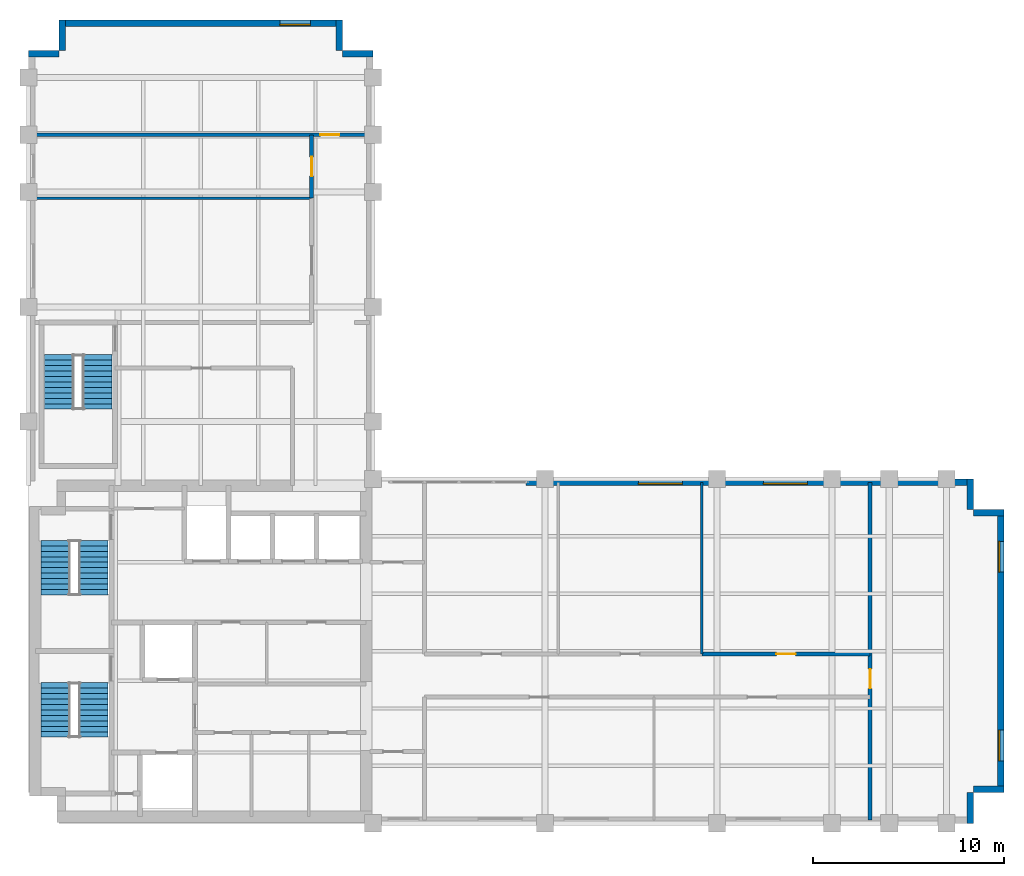
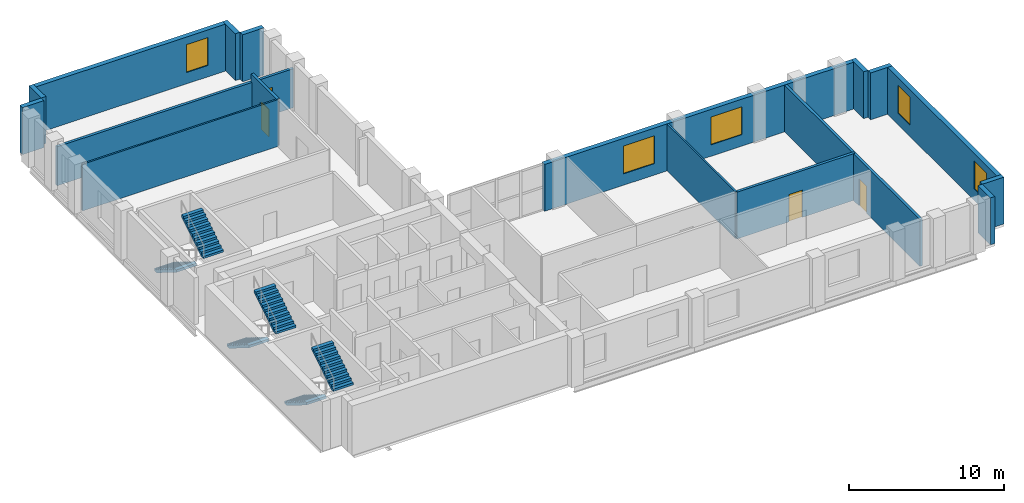
# One storey, part 6 of 7: 17 walls, 6 stair flights, 5 windows, 4 doors, 9 openings, 3 elements without a shape of their own.
"""IFC4 building model written with IfcOpenShell, lengths in metres."""

from ifc_helpers import new_model, si_unit, direction, frame, frame_2d, origin, place, context, subcontext, project, spatial, polyline, rectangle, outline, extrude, material, layer, layer_set, type_object, element, fill, aggregate, save


model = new_model("IFC4")

# Units and contexts
model_context = context("Model", 3, precision=1e-05, world=origin(), true_north=direction((0.0, 1.0)))
body_context = subcontext(model_context, "Body", "Model", "MODEL_VIEW")
ifc_project = project(units=[si_unit("LENGTHUNIT", "METRE"), si_unit("AREAUNIT", "SQUARE_METRE"), si_unit("VOLUMEUNIT", "CUBIC_METRE"), si_unit("PLANEANGLEUNIT", "RADIAN"), si_unit("MASSUNIT", "GRAM", prefix="KILO")], contexts=[model_context])

# Site, building, storey
site_placement = place(None, origin())
site = spatial("IfcSite", under=ifc_project, at=site_placement, CompositionType="ELEMENT")
building_placement = place(site_placement, origin())
building = spatial("IfcBuilding", under=site, at=building_placement, Name="Mawjdan Bourse Tower", CompositionType="ELEMENT")
storey_placement = place(building_placement, frame((0.0, 0.0, 172.199951171875)))
storey = spatial("IfcBuildingStorey", under=building, at=storey_placement, Name="L41", CompositionType="ELEMENT", Elevation=172.199951171875)

# Walls
ifc_material_1 = material(Name="Brick Masonry Buff", Category="masonry")
ifc_layer_1 = layer(ifc_material_1, 0.340087890625)
ifc_layer_set_1 = layer_set([ifc_layer_1], Name="Brick Masonry Buff")
wall_type_1 = type_object("IfcWallType", Name="WL-BRK-SPN-340", PredefinedType="STANDARD", material=ifc_layer_set_1)
for number, where, z_axis, x_axis, name in (
    (1, (55.22998046875, 3.0, 0.0), (0.0, 0.0, 1.0), (0.0, 1.0, 0.0), "L41 Exterior Brick Wall 2"),
    (2, (55.39990234375, 4.77001953125, 0.0), (0.0, 0.0, 1.0), (1.0, 0.0, 0.0), "L41 Exterior Brick Wall 3"),
):
    element("IfcWall", number, at=place(storey_placement, frame(where, z_axis=z_axis, x_axis=x_axis)), inside=storey, type_object=wall_type_1, Name=name, PredefinedType="STANDARD", context=body_context, shape_type="SweptSolid", body=[
        extrude(rectangle(XDim=1.60009765625, YDim=0.340087890625, at=frame_2d((0.800048828125, 0.0))), origin(), (0.0, 0.0, 1.0), 3.699951171875),
    ])

# Wall, openings, windows
wall_1_placement = place(storey_placement, frame((56.830078125, 4.60009765625, 0.0), z_axis=(0.0, 0.0, 1.0), x_axis=(0.0, 1.0, 0.0)))
wall_1 = element("IfcWall", 3, at=wall_1_placement, inside=storey, type_object=wall_type_1, Name="L41 Exterior Brick Wall 4", PredefinedType="STANDARD", context=body_context, shape_type="SweptSolid", body=[
    extrude(rectangle(XDim=14.7998046875, YDim=0.340087890625, at=frame_2d((7.39990234375, 0.0))), origin(), (0.0, 0.0, 1.0), 3.699951171875),
])
opening_1_placement = place(wall_1_placement, frame((1.666748046875, 0.0, 0.89990234375)))
opening_1 = element("IfcOpeningElement", 4, at=opening_1_placement, cuts=wall_1, Name="Opening W-L41-04", PredefinedType="OPENING", context=body_context, shape_type="SweptSolid", body=[
    extrude(rectangle(XDim=1.60009765625, YDim=2.199951171875, at=frame_2d((0.800048828125, 1.10009765625))), frame((0.0, 0.18017578125, 0.0), z_axis=(0.0, -1.0, 0.0), x_axis=(1.0, 0.0, 0.0)), (0.0, 0.0, 1.0), 0.360107421875),
])
opening_2_placement = place(wall_1_placement, frame((11.533203125, 0.0, 0.89990234375)))
opening_2 = element("IfcOpeningElement", 5, at=opening_2_placement, cuts=wall_1, Name="Opening W-L41-05", PredefinedType="OPENING", context=body_context, shape_type="SweptSolid", body=[
    extrude(rectangle(XDim=1.60009765625, YDim=2.199951171875, at=frame_2d((0.800048828125, 1.10009765625))), frame((0.0, 0.18017578125, 0.0), z_axis=(0.0, -1.0, 0.0), x_axis=(1.0, 0.0, 0.0)), (0.0, 0.0, 1.0), 0.360107421875),
])
ifc_material_2 = material(Name="Solar-Control Clear Double Glazing", Category="glass")
window_type_1 = type_object("IfcWindowType", Name="WN-Z3-1600", PartitioningType="SINGLE_PANEL", PredefinedType="WINDOW", material=ifc_material_2)
window_1_placement = place(opening_1_placement, origin())
window_1 = element("IfcWindow", 6, at=window_1_placement, inside=storey, type_object=window_type_1, Name="L41 Deep-Set Masonry Window W-L41-04", OverallHeight=2.199951171875, OverallWidth=1.60009765625, PartitioningType="SINGLE_PANEL", PredefinedType="WINDOW", context=body_context, shape_type="SweptSolid", body=[
    extrude(rectangle(XDim=1.60009765625, YDim=2.199951171875, at=frame_2d((0.800048828125, 1.10009765625))), frame((0.0, 0.110107421875, 0.0), z_axis=(0.0, -1.0, 0.0), x_axis=(1.0, 0.0, 0.0)), (0.0, 0.0, 1.0), 0.06005859375),
])
fill(opening_1, window_1)
window_2_placement = place(opening_2_placement, origin())
window_2 = element("IfcWindow", 7, at=window_2_placement, inside=storey, type_object=window_type_1, Name="L41 Deep-Set Masonry Window W-L41-05", OverallHeight=2.199951171875, OverallWidth=1.60009765625, PartitioningType="SINGLE_PANEL", PredefinedType="WINDOW", context=body_context, shape_type="SweptSolid", body=[
    extrude(rectangle(XDim=1.60009765625, YDim=2.199951171875, at=frame_2d((0.800048828125, 1.10009765625))), frame((0.0, 0.110107421875, 0.0), z_axis=(0.0, -1.0, 0.0), x_axis=(1.0, 0.0, 0.0)), (0.0, 0.0, 1.0), 0.06005859375),
])
fill(opening_2, window_2)

# Walls
for number, where, z_axis, x_axis, name in (
    (8, (57.0, 19.22998046875, 0.0), (0.0, 0.0, 1.0), (-1.0, 0.0, 0.0), "L41 Exterior Brick Wall 5"),
    (9, (55.22998046875, 19.39990234375, 0.0), (0.0, 0.0, 1.0), (0.0, 1.0, 0.0), "L41 Exterior Brick Wall 6"),
):
    element("IfcWall", number, at=place(storey_placement, frame(where, z_axis=z_axis, x_axis=x_axis)), inside=storey, type_object=wall_type_1, Name=name, PredefinedType="STANDARD", context=body_context, shape_type="SweptSolid", body=[
        extrude(rectangle(XDim=1.60009765625, YDim=0.340087890625, at=frame_2d((0.800048828125, 0.0))), origin(), (0.0, 0.0, 1.0), 3.699951171875),
    ])

# Wall, openings, windows
wall_2_placement = place(storey_placement, frame((55.39990234375, 20.830078125, 0.0), z_axis=(0.0, 0.0, 1.0), x_axis=(-1.0, 0.0, 0.0)))
wall_2 = element("IfcWall", 10, at=wall_2_placement, inside=storey, type_object=wall_type_1, Name="L41 Exterior Brick Wall 7A", PredefinedType="STANDARD", context=body_context, shape_type="SweptSolid", body=[
    extrude(rectangle(XDim=23.3798828125, YDim=0.340087890625, at=frame_2d((11.68994140625, 0.0))), origin(), (0.0, 0.0, 1.0), 3.699951171875),
])
opening_3_placement = place(wall_2_placement, frame((15.216064453125, 0.0, 0.89990234375)))
opening_3 = element("IfcOpeningElement", 11, at=opening_3_placement, cuts=wall_2, Name="Opening W-L41-06", PredefinedType="OPENING", context=body_context, shape_type="SweptSolid", body=[
    extrude(rectangle(XDim=2.300048828125, YDim=2.199951171875, at=frame_2d((1.14990234375, 1.10009765625))), frame((0.0, 0.18017578125, 0.0), z_axis=(0.0, -1.0, 0.0), x_axis=(1.0, 0.0, 0.0)), (0.0, 0.0, 1.0), 0.360107421875),
])
opening_4_placement = place(wall_2_placement, frame((8.6748046875, 0.0, 0.89990234375)))
opening_4 = element("IfcOpeningElement", 12, at=opening_4_placement, cuts=wall_2, Name="Opening W-L41-10", PredefinedType="OPENING", context=body_context, shape_type="SweptSolid", body=[
    extrude(rectangle(XDim=2.300048828125, YDim=2.199951171875, at=frame_2d((1.14990234375, 1.10009765625))), frame((0.0, 0.18017578125, 0.0), z_axis=(0.0, -1.0, 0.0), x_axis=(1.0, 0.0, 0.0)), (0.0, 0.0, 1.0), 0.360107421875),
])
window_type_2 = type_object("IfcWindowType", Name="WN-Z3-2300", PartitioningType="SINGLE_PANEL", PredefinedType="WINDOW", material=ifc_material_2)
window_3_placement = place(opening_3_placement, origin())
window_3 = element("IfcWindow", 13, at=window_3_placement, inside=storey, type_object=window_type_2, Name="L41 Deep-Set Masonry Window W-L41-06", OverallHeight=2.199951171875, OverallWidth=2.300048828125, PartitioningType="SINGLE_PANEL", PredefinedType="WINDOW", context=body_context, shape_type="SweptSolid", body=[
    extrude(rectangle(XDim=2.300048828125, YDim=2.199951171875, at=frame_2d((1.14990234375, 1.10009765625))), frame((0.0, 0.110107421875, 0.0), z_axis=(0.0, -1.0, 0.0), x_axis=(1.0, 0.0, 0.0)), (0.0, 0.0, 1.0), 0.06005859375),
])
fill(opening_3, window_3)
window_4_placement = place(opening_4_placement, origin())
window_4 = element("IfcWindow", 14, at=window_4_placement, inside=storey, type_object=window_type_2, Name="L41 Deep-Set Masonry Window W-L41-10", OverallHeight=2.199951171875, OverallWidth=2.300048828125, PartitioningType="SINGLE_PANEL", PredefinedType="WINDOW", context=body_context, shape_type="SweptSolid", body=[
    extrude(rectangle(XDim=2.300048828125, YDim=2.199951171875, at=frame_2d((1.14990234375, 1.10009765625))), frame((0.0, 0.110107421875, 0.0), z_axis=(0.0, -1.0, 0.0), x_axis=(1.0, 0.0, 0.0)), (0.0, 0.0, 1.0), 0.06005859375),
])
fill(opening_4, window_4)

# Walls
for number, where, z_axis, x_axis, name in (
    (15, (24.0, 43.22998046875, 0.0), (0.0, 0.0, 1.0), (-1.0, 0.0, 0.0), "L41 Exterior Brick Wall 9"),
    (16, (22.22998046875, 43.39990234375, 0.0), (0.0, 0.0, 1.0), (0.0, 1.0, 0.0), "L41 Exterior Brick Wall 10"),
):
    element("IfcWall", number, at=place(storey_placement, frame(where, z_axis=z_axis, x_axis=x_axis)), inside=storey, type_object=wall_type_1, Name=name, PredefinedType="STANDARD", context=body_context, shape_type="SweptSolid", body=[
        extrude(rectangle(XDim=1.60009765625, YDim=0.340087890625, at=frame_2d((0.800048828125, 0.0))), origin(), (0.0, 0.0, 1.0), 3.699951171875),
    ])

# Wall, opening, window
wall_3_placement = place(storey_placement, frame((22.39990234375, 44.830078125, 0.0), z_axis=(0.0, 0.0, 1.0), x_axis=(-1.0, 0.0, 0.0)))
wall_3 = element("IfcWall", 17, at=wall_3_placement, inside=storey, type_object=wall_type_1, Name="L41 Exterior Brick Wall 11", PredefinedType="STANDARD", context=body_context, shape_type="SweptSolid", body=[
    extrude(rectangle(XDim=14.7998046875, YDim=0.340087890625, at=frame_2d((7.39990234375, 0.0))), origin(), (0.0, 0.0, 1.0), 3.699951171875),
])
opening_5_placement = place(wall_3_placement, frame((1.666748046875, 0.0, 0.89990234375)))
opening_5 = element("IfcOpeningElement", 18, at=opening_5_placement, cuts=wall_3, Name="Opening W-L41-07", PredefinedType="OPENING", context=body_context, shape_type="SweptSolid", body=[
    extrude(rectangle(XDim=1.60009765625, YDim=2.199951171875, at=frame_2d((0.800048828125, 1.10009765625))), frame((0.0, 0.18017578125, 0.0), z_axis=(0.0, -1.0, 0.0), x_axis=(1.0, 0.0, 0.0)), (0.0, 0.0, 1.0), 0.360107421875),
])
window_5_placement = place(opening_5_placement, origin())
window_5 = element("IfcWindow", 19, at=window_5_placement, inside=storey, type_object=window_type_1, Name="L41 Deep-Set Masonry Window W-L41-07", OverallHeight=2.199951171875, OverallWidth=1.60009765625, PartitioningType="SINGLE_PANEL", PredefinedType="WINDOW", context=body_context, shape_type="SweptSolid", body=[
    extrude(rectangle(XDim=1.60009765625, YDim=2.199951171875, at=frame_2d((0.800048828125, 1.10009765625))), frame((0.0, 0.110107421875, 0.0), z_axis=(0.0, -1.0, 0.0), x_axis=(1.0, 0.0, 0.0)), (0.0, 0.0, 1.0), 0.06005859375),
])
fill(opening_5, window_5)

# Walls
for number, where, z_axis, x_axis, name in (
    (20, (7.77001953125, 45.0, 0.0), (0.0, 0.0, 1.0), (0.0, -1.0, 0.0), "L41 Exterior Brick Wall 12"),
    (21, (7.60009765625, 43.22998046875, 0.0), (0.0, 0.0, 1.0), (-1.0, 0.0, 0.0), "L41 Exterior Brick Wall 13"),
):
    element("IfcWall", number, at=place(storey_placement, frame(where, z_axis=z_axis, x_axis=x_axis)), inside=storey, type_object=wall_type_1, Name=name, PredefinedType="STANDARD", context=body_context, shape_type="SweptSolid", body=[
        extrude(rectangle(XDim=1.60009765625, YDim=0.340087890625, at=frame_2d((0.800048828125, 0.0))), origin(), (0.0, 0.0, 1.0), 3.699951171875),
    ])

# Wall, opening, door
ifc_material_3 = material(Name="Gypsum Fireboard Assembly")
ifc_layer_2 = layer(ifc_material_3, 0.199951171875)
ifc_layer_set_2 = layer_set([ifc_layer_2], Name="Gypsum Fireboard Assembly")
wall_type_2 = type_object("IfcWallType", Name="WL-CMP-200", PredefinedType="PARTITIONING", material=ifc_layer_set_2)
wall_4_placement = place(storey_placement, frame((41.199951171875, 11.85009765625, 0.0), z_axis=(0.0, 0.0, 1.0), x_axis=(1.0, 0.0, 0.0)))
wall_4 = element("IfcWall", 22, at=wall_4_placement, inside=storey, type_object=wall_type_2, Name="L41 Client Reception Corridor Wall", PredefinedType="PARTITIONING", context=body_context, shape_type="SweptSolid", body=[
    extrude(rectangle(XDim=8.800048828125, YDim=0.199951171875, at=frame_2d((4.39990234375, 0.0))), origin(), (0.0, 0.0, 1.0), 3.68994140625),
])
opening_6_placement = place(wall_4_placement, frame((3.89990234375, 0.0, 0.0)))
opening_6 = element("IfcOpeningElement", 23, at=opening_6_placement, cuts=wall_4, Name="Opening D-L41-26", PredefinedType="OPENING", context=body_context, shape_type="SweptSolid", body=[
    extrude(rectangle(XDim=1.0, YDim=2.14990234375, at=frame_2d((0.5, 1.074951171875))), frame((0.0, 0.10986328125, 0.0), z_axis=(0.0, -1.0, 0.0), x_axis=(1.0, 0.0, 0.0)), (0.0, 0.0, 1.0), 0.219970703125),
])
ifc_material_4 = material(Name="Hardwood Acoustic Leaf", Category="wood")
door_type = type_object("IfcDoorType", Name="DR-OFC-1000", OperationType="NOTDEFINED", PredefinedType="DOOR", material=ifc_material_4)
door_1_placement = place(opening_6_placement, origin())
door_1 = element("IfcDoor", 24, at=door_1_placement, inside=storey, type_object=door_type, Name="L41 Client Reception Door D-L41-26", OperationType="SINGLE_SWING_RIGHT", OverallHeight=2.14990234375, OverallWidth=1.0, PredefinedType="DOOR", context=body_context, shape_type="SweptSolid", body=[
    extrude(rectangle(XDim=1.0, YDim=2.14990234375, at=frame_2d((0.5, 1.074951171875))), frame((0.0, 0.02490234375, 0.0), z_axis=(0.0, -1.0, 0.0), x_axis=(1.0, 0.0, 0.0)), (0.0, 0.0, 1.0), 0.050048828125),
])
fill(opening_6, door_1)

wall_5_placement = place(storey_placement, frame((50.0, 3.179931640625, 0.0), z_axis=(0.0, 0.0, 1.0), x_axis=(0.0, 1.0, 0.0)))
wall_5 = element("IfcWall", 25, at=wall_5_placement, inside=storey, type_object=wall_type_2, Name="L41 East Tip Full Cross Wall", PredefinedType="PARTITIONING", context=body_context, shape_type="SweptSolid", body=[
    extrude(rectangle(XDim=17.64013671875, YDim=0.199951171875, at=frame_2d((8.820068359375, 0.0))), origin(), (0.0, 0.0, 1.0), 3.68994140625),
])
opening_7_placement = place(wall_5_placement, frame((6.875, 0.0, 0.0)))
opening_7 = element("IfcOpeningElement", 26, at=opening_7_placement, cuts=wall_5, Name="Opening D-L41-27", PredefinedType="OPENING", context=body_context, shape_type="SweptSolid", body=[
    extrude(rectangle(XDim=1.0, YDim=2.14990234375, at=frame_2d((0.5, 1.074951171875))), frame((0.0, 0.10986328125, 0.0), z_axis=(0.0, -1.0, 0.0), x_axis=(1.0, 0.0, 0.0)), (0.0, 0.0, 1.0), 0.219970703125),
])
door_2_placement = place(opening_7_placement, origin())
door_2 = element("IfcDoor", 27, at=door_2_placement, inside=storey, type_object=door_type, Name="L41 East Tip Hall Door D-L41-27", OperationType="SINGLE_SWING_LEFT", OverallHeight=2.14990234375, OverallWidth=1.0, PredefinedType="DOOR", context=body_context, shape_type="SweptSolid", body=[
    extrude(rectangle(XDim=1.0, YDim=2.14990234375, at=frame_2d((0.5, 1.074951171875))), frame((0.0, 0.02490234375, 0.0), z_axis=(0.0, -1.0, 0.0), x_axis=(1.0, 0.0, 0.0)), (0.0, 0.0, 1.0), 0.050048828125),
])
fill(opening_7, door_2)

wall_6_placement = place(storey_placement, frame((20.800048828125, 35.679931640625, 0.0), z_axis=(0.0, 0.0, 1.0), x_axis=(0.0, 1.0, 0.0)))
wall_6 = element("IfcWall", 28, at=wall_6_placement, inside=storey, type_object=wall_type_2, Name="L41 Executive Office Corridor Wall", PredefinedType="PARTITIONING", context=body_context, shape_type="SweptSolid", body=[
    extrude(rectangle(XDim=3.320068359375, YDim=0.199951171875, at=frame_2d((1.66015625, 0.0))), origin(), (0.0, 0.0, 1.0), 3.68994140625),
])
opening_8_placement = place(wall_6_placement, frame((1.159912109375, 0.0, 0.0)))
opening_8 = element("IfcOpeningElement", 29, at=opening_8_placement, cuts=wall_6, Name="Opening D-L41-30", PredefinedType="OPENING", context=body_context, shape_type="SweptSolid", body=[
    extrude(rectangle(XDim=1.0, YDim=2.14990234375, at=frame_2d((0.5, 1.074951171875))), frame((0.0, 0.10986328125, 0.0), z_axis=(0.0, -1.0, 0.0), x_axis=(1.0, 0.0, 0.0)), (0.0, 0.0, 1.0), 0.219970703125),
])
door_3_placement = place(opening_8_placement, origin())
door_3 = element("IfcDoor", 30, at=door_3_placement, inside=storey, type_object=door_type, Name="L41 Executive Office Door D-L41-30", OperationType="SINGLE_SWING_LEFT", OverallHeight=2.14990234375, OverallWidth=1.0, PredefinedType="DOOR", context=body_context, shape_type="SweptSolid", body=[
    extrude(rectangle(XDim=1.0, YDim=2.14990234375, at=frame_2d((0.5, 1.074951171875))), frame((0.0, 0.02490234375, 0.0), z_axis=(0.0, -1.0, 0.0), x_axis=(1.0, 0.0, 0.0)), (0.0, 0.0, 1.0), 0.050048828125),
])
fill(opening_8, door_3)

wall_7_placement = place(storey_placement, frame((6.179931640625, 39.0, 0.0), z_axis=(0.0, 0.0, 1.0), x_axis=(1.0, 0.0, 0.0)))
wall_7 = element("IfcWall", 31, at=wall_7_placement, inside=storey, type_object=wall_type_2, Name="L41 North Tip Full Cross Wall", PredefinedType="PARTITIONING", context=body_context, shape_type="SweptSolid", body=[
    extrude(rectangle(XDim=17.64013671875, YDim=0.199951171875, at=frame_2d((8.820068359375, 0.0))), origin(), (0.0, 0.0, 1.0), 3.072998046875),
])
opening_9_placement = place(wall_7_placement, frame((15.074951171875, 0.0, 0.0)))
opening_9 = element("IfcOpeningElement", 32, at=opening_9_placement, cuts=wall_7, Name="Opening D-L41-31", PredefinedType="OPENING", context=body_context, shape_type="SweptSolid", body=[
    extrude(rectangle(XDim=1.0, YDim=2.14990234375, at=frame_2d((0.5, 1.074951171875))), frame((0.0, 0.10986328125, 0.0), z_axis=(0.0, -1.0, 0.0), x_axis=(1.0, 0.0, 0.0)), (0.0, 0.0, 1.0), 0.219970703125),
])
door_4_placement = place(opening_9_placement, origin())
door_4 = element("IfcDoor", 33, at=door_4_placement, inside=storey, type_object=door_type, Name="L41 North Tip Suite Door D-L41-31", OperationType="SINGLE_SWING_RIGHT", OverallHeight=2.14990234375, OverallWidth=1.0, PredefinedType="DOOR", context=body_context, shape_type="SweptSolid", body=[
    extrude(rectangle(XDim=1.0, YDim=2.14990234375, at=frame_2d((0.5, 1.074951171875))), frame((0.0, 0.02490234375, 0.0), z_axis=(0.0, -1.0, 0.0), x_axis=(1.0, 0.0, 0.0)), (0.0, 0.0, 1.0), 0.050048828125),
])
fill(opening_9, door_4)

# Walls
ifc_material_5 = material(Name="Gypsum Partition")
ifc_layer_3 = layer(ifc_material_5, 0.125)
ifc_layer_set_3 = layer_set([ifc_layer_3], Name="Gypsum Partition")
wall_type_3 = type_object("IfcWallType", Name="WL-PRT-125", PredefinedType="PARTITIONING", material=ifc_layer_set_3)
wall_8_placement = place(storey_placement, frame((41.199951171875, 11.85009765625, 0.0), z_axis=(0.0, 0.0, 1.0), x_axis=(0.0, 1.0, 0.0)))
element("IfcWall", 34, at=wall_8_placement, inside=storey, type_object=wall_type_3, Name="L41 Client Reception Partition", PredefinedType="PARTITIONING", context=body_context, shape_type="SweptSolid", body=[
    extrude(rectangle(XDim=8.969970703125, YDim=0.125, at=frame_2d((4.48486328125, 0.0))), origin(), (0.0, 0.0, 1.0), 3.68994140625),
])
wall_9_placement = place(storey_placement, frame((6.179931640625, 35.679931640625, 0.0), z_axis=(0.0, 0.0, 1.0), x_axis=(1.0, 0.0, 0.0)))
element("IfcWall", 35, at=wall_9_placement, inside=storey, type_object=wall_type_3, Name="L41 Executive Office Partition", PredefinedType="PARTITIONING", context=body_context, shape_type="SweptSolid", body=[
    extrude(rectangle(XDim=14.6201171875, YDim=0.125, at=frame_2d((7.31005859375, 0.0))), origin(), (0.0, 0.0, 1.0), 3.68994140625),
])

# Stair, stair flights
ifc_material_6 = material(Name="Concrete C50/60", Category="concrete")
stair_type = type_object("IfcStairType", Name="STR-CORE-1500", PredefinedType="HALF_TURN_STAIR", material=ifc_material_6)
stair_1_placement = place(storey_placement, origin())
stair_1 = element("IfcStair", 36, at=stair_1_placement, inside=storey, type_object=stair_type, Name="L41 Exit Stair 1 (Core South-West)", PredefinedType="HALF_TURN_STAIR")
stair_flight_type = type_object("IfcStairFlightType", Name="SFL-RC-1500", PredefinedType="STRAIGHT", material=ifc_material_6)
stair_flight_1_placement = place(storey_placement, frame((7.389892578125, 10.35009765625, 0.0), z_axis=(0.0, 0.0, 1.0), x_axis=(0.0, -1.0, 0.0)))
stair_flight_1 = element("IfcStairFlight", 37, at=stair_flight_1_placement, type_object=stair_flight_type, Name="ST1-L41 flight 1", NumberOfRisers=11, NumberOfTreads=10, PredefinedType="STRAIGHT", RiserHeight=0.177273, TreadLength=0.285, context=body_context, shape_type="SweptSolid", body=[
    extrude(outline(polyline([(0.0, 0.0), (0.0, 0.17724609375), (0.284912109375, 0.17724609375), (0.284912109375, 0.3544921875), (0.570068359375, 0.3544921875), (0.570068359375, 0.53173828125), (0.85498046875, 0.53173828125), (0.85498046875, 0.708984375), (1.139892578125, 0.708984375), (1.139892578125, 0.886474609375), (1.425048828125, 0.886474609375), (1.425048828125, 1.063720703125), (1.7099609375, 1.063720703125), (1.7099609375, 1.240966796875), (1.9951171875, 1.240966796875), (1.9951171875, 1.418212890625), (2.280029296875, 1.418212890625), (2.280029296875, 1.595458984375), (2.56494140625, 1.595458984375), (2.56494140625, 1.772705078125), (2.85009765625, 1.772705078125), (2.85009765625, 1.949951171875), (2.85009765625, 1.58447265625), (0.302734375, 0.0), (0.0, 0.0)])), frame((0.0, 0.75, 0.0), z_axis=(0.0, -1.0, 0.0), x_axis=(1.0, 0.0, 0.0)), (0.0, 0.0, 1.0), 1.5),
])
stair_flight_2_placement = place(storey_placement, frame((9.409912109375, 7.5, 1.949951171875), z_axis=(0.0, 0.0, 1.0), x_axis=(0.0, 1.0, 0.0)))
stair_flight_2 = element("IfcStairFlight", 38, at=stair_flight_2_placement, type_object=stair_flight_type, Name="ST1-L41 flight 2", NumberOfRisers=11, NumberOfTreads=10, PredefinedType="STRAIGHT", RiserHeight=0.177273, TreadLength=0.285, context=body_context, shape_type="SweptSolid", body=[
    extrude(outline(polyline([(0.0, 0.0), (0.0, 0.17724609375), (0.284912109375, 0.17724609375), (0.284912109375, 0.3544921875), (0.570068359375, 0.3544921875), (0.570068359375, 0.53173828125), (0.85498046875, 0.53173828125), (0.85498046875, 0.708984375), (1.139892578125, 0.708984375), (1.139892578125, 0.886474609375), (1.425048828125, 0.886474609375), (1.425048828125, 1.063720703125), (1.7099609375, 1.063720703125), (1.7099609375, 1.240966796875), (1.9951171875, 1.240966796875), (1.9951171875, 1.418212890625), (2.280029296875, 1.418212890625), (2.280029296875, 1.595458984375), (2.56494140625, 1.595458984375), (2.56494140625, 1.772705078125), (2.85009765625, 1.772705078125), (2.85009765625, 1.949951171875), (2.85009765625, 1.58447265625), (0.302734375, 0.0), (0.0, 0.0)])), frame((0.0, 0.75, 0.0), z_axis=(0.0, -1.0, 0.0), x_axis=(1.0, 0.0, 0.0)), (0.0, 0.0, 1.0), 1.5),
])
aggregate(stair_1, [stair_flight_1, stair_flight_2])

stair_2_placement = place(storey_placement, origin())
stair_2 = element("IfcStair", 39, at=stair_2_placement, inside=storey, type_object=stair_type, Name="L41 Exit Stair 2 (Core North-West)", PredefinedType="HALF_TURN_STAIR")
stair_flight_3_placement = place(storey_placement, frame((7.389892578125, 17.7900390625, 0.0), z_axis=(0.0, 0.0, 1.0), x_axis=(0.0, -1.0, 0.0)))
stair_flight_3 = element("IfcStairFlight", 40, at=stair_flight_3_placement, type_object=stair_flight_type, Name="ST2-L41 flight 1", NumberOfRisers=11, NumberOfTreads=10, PredefinedType="STRAIGHT", RiserHeight=0.177273, TreadLength=0.285, context=body_context, shape_type="SweptSolid", body=[
    extrude(outline(polyline([(0.0, 0.0), (0.0, 0.17724609375), (0.284912109375, 0.17724609375), (0.284912109375, 0.3544921875), (0.570068359375, 0.3544921875), (0.570068359375, 0.53173828125), (0.85498046875, 0.53173828125), (0.85498046875, 0.708984375), (1.139892578125, 0.708984375), (1.139892578125, 0.886474609375), (1.425048828125, 0.886474609375), (1.425048828125, 1.063720703125), (1.7099609375, 1.063720703125), (1.7099609375, 1.240966796875), (1.9951171875, 1.240966796875), (1.9951171875, 1.418212890625), (2.280029296875, 1.418212890625), (2.280029296875, 1.595458984375), (2.56494140625, 1.595458984375), (2.56494140625, 1.772705078125), (2.85009765625, 1.772705078125), (2.85009765625, 1.949951171875), (2.85009765625, 1.58447265625), (0.302734375, 0.0), (0.0, 0.0)])), frame((0.0, 0.75, 0.0), z_axis=(0.0, -1.0, 0.0), x_axis=(1.0, 0.0, 0.0)), (0.0, 0.0, 1.0), 1.5),
])
stair_flight_4_placement = place(storey_placement, frame((9.409912109375, 14.93994140625, 1.949951171875), z_axis=(0.0, 0.0, 1.0), x_axis=(0.0, 1.0, 0.0)))
stair_flight_4 = element("IfcStairFlight", 41, at=stair_flight_4_placement, type_object=stair_flight_type, Name="ST2-L41 flight 2", NumberOfRisers=11, NumberOfTreads=10, PredefinedType="STRAIGHT", RiserHeight=0.177273, TreadLength=0.285, context=body_context, shape_type="SweptSolid", body=[
    extrude(outline(polyline([(0.0, 0.0), (0.0, 0.17724609375), (0.284912109375, 0.17724609375), (0.284912109375, 0.3544921875), (0.570068359375, 0.3544921875), (0.570068359375, 0.53173828125), (0.85498046875, 0.53173828125), (0.85498046875, 0.708984375), (1.139892578125, 0.708984375), (1.139892578125, 0.886474609375), (1.425048828125, 0.886474609375), (1.425048828125, 1.063720703125), (1.7099609375, 1.063720703125), (1.7099609375, 1.240966796875), (1.9951171875, 1.240966796875), (1.9951171875, 1.418212890625), (2.280029296875, 1.418212890625), (2.280029296875, 1.595458984375), (2.56494140625, 1.595458984375), (2.56494140625, 1.772705078125), (2.85009765625, 1.772705078125), (2.85009765625, 1.949951171875), (2.85009765625, 1.58447265625), (0.302734375, 0.0), (0.0, 0.0)])), frame((0.0, 0.75, 0.0), z_axis=(0.0, -1.0, 0.0), x_axis=(1.0, 0.0, 0.0)), (0.0, 0.0, 1.0), 1.5),
])
aggregate(stair_2, [stair_flight_3, stair_flight_4])

stair_3_placement = place(storey_placement, origin())
stair_3 = element("IfcStair", 42, at=stair_3_placement, inside=storey, type_object=stair_type, Name="L41 Exit Stair 3 (North Wing)", PredefinedType="HALF_TURN_STAIR")
stair_flight_5_placement = place(storey_placement, frame((7.590087890625, 27.5, 0.0), z_axis=(0.0, 0.0, 1.0), x_axis=(0.0, -1.0, 0.0)))
stair_flight_5 = element("IfcStairFlight", 43, at=stair_flight_5_placement, type_object=stair_flight_type, Name="ST3-L41 flight 1", NumberOfRisers=11, NumberOfTreads=10, PredefinedType="STRAIGHT", RiserHeight=0.177273, TreadLength=0.285, context=body_context, shape_type="SweptSolid", body=[
    extrude(outline(polyline([(0.0, 0.0), (0.0, 0.17724609375), (0.284912109375, 0.17724609375), (0.284912109375, 0.3544921875), (0.570068359375, 0.3544921875), (0.570068359375, 0.53173828125), (0.85498046875, 0.53173828125), (0.85498046875, 0.708984375), (1.139892578125, 0.708984375), (1.139892578125, 0.886474609375), (1.425048828125, 0.886474609375), (1.425048828125, 1.063720703125), (1.7099609375, 1.063720703125), (1.7099609375, 1.240966796875), (1.9951171875, 1.240966796875), (1.9951171875, 1.418212890625), (2.280029296875, 1.418212890625), (2.280029296875, 1.595458984375), (2.56494140625, 1.595458984375), (2.56494140625, 1.772705078125), (2.85009765625, 1.772705078125), (2.85009765625, 1.949951171875), (2.85009765625, 1.58447265625), (0.302734375, 0.0), (0.0, 0.0)])), frame((0.0, 0.75, 0.0), z_axis=(0.0, -1.0, 0.0), x_axis=(1.0, 0.0, 0.0)), (0.0, 0.0, 1.0), 1.5),
])
stair_flight_6_placement = place(storey_placement, frame((9.610107421875, 24.64990234375, 1.949951171875), z_axis=(0.0, 0.0, 1.0), x_axis=(0.0, 1.0, 0.0)))
stair_flight_6 = element("IfcStairFlight", 44, at=stair_flight_6_placement, type_object=stair_flight_type, Name="ST3-L41 flight 2", NumberOfRisers=11, NumberOfTreads=10, PredefinedType="STRAIGHT", RiserHeight=0.177273, TreadLength=0.285, context=body_context, shape_type="SweptSolid", body=[
    extrude(outline(polyline([(0.0, 0.0), (0.0, 0.17724609375), (0.284912109375, 0.17724609375), (0.284912109375, 0.3544921875), (0.570068359375, 0.3544921875), (0.570068359375, 0.53173828125), (0.85498046875, 0.53173828125), (0.85498046875, 0.708984375), (1.139892578125, 0.708984375), (1.139892578125, 0.886474609375), (1.425048828125, 0.886474609375), (1.425048828125, 1.063720703125), (1.7099609375, 1.063720703125), (1.7099609375, 1.240966796875), (1.9951171875, 1.240966796875), (1.9951171875, 1.418212890625), (2.280029296875, 1.418212890625), (2.280029296875, 1.595458984375), (2.56494140625, 1.595458984375), (2.56494140625, 1.772705078125), (2.85009765625, 1.772705078125), (2.85009765625, 1.949951171875), (2.85009765625, 1.58447265625), (0.302734375, 0.0), (0.0, 0.0)])), frame((0.0, 0.75, 0.0), z_axis=(0.0, -1.0, 0.0), x_axis=(1.0, 0.0, 0.0)), (0.0, 0.0, 1.0), 1.5),
])
aggregate(stair_3, [stair_flight_5, stair_flight_6])

save(model, "model.ifc")
